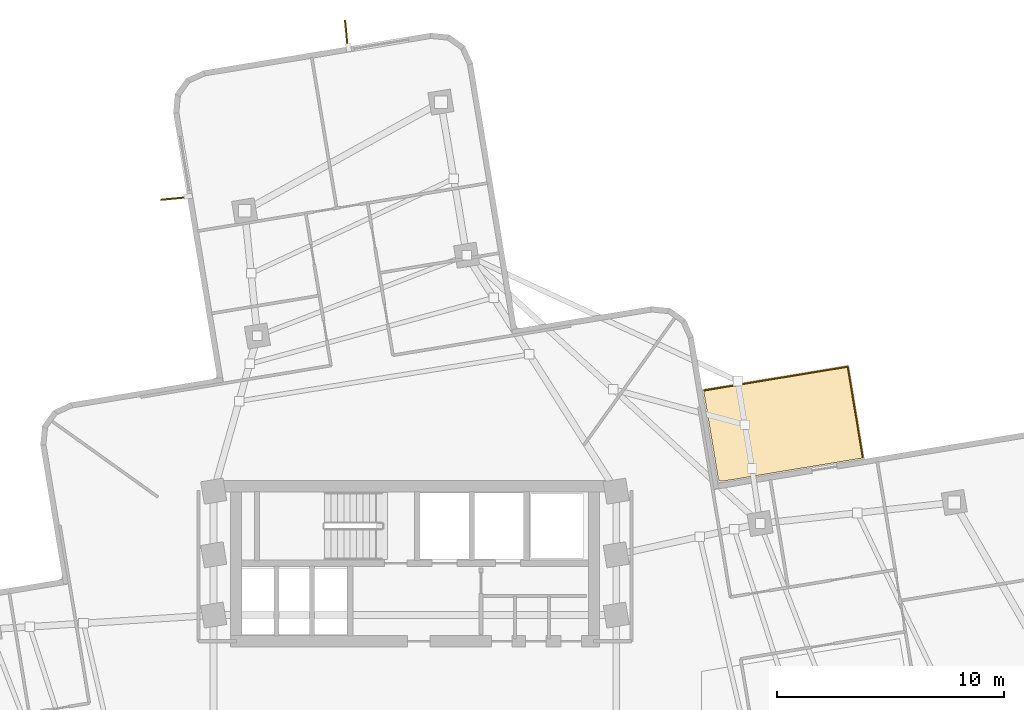
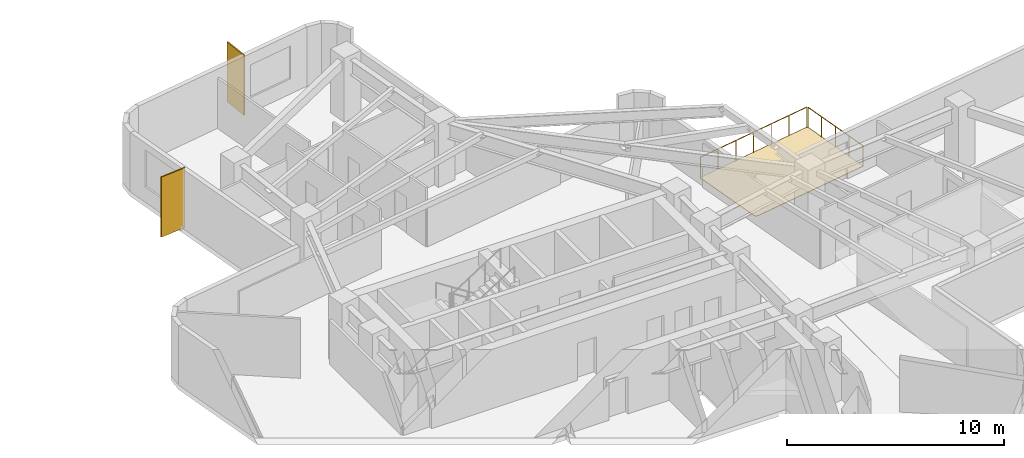
# One storey, part 9 of 9: 2 railings, 2 shading devices, 1 covering.
"""IFC4 building model written with IfcOpenShell, lengths in metres."""

from ifc_helpers import new_model, si_unit, direction, frame, origin, origin_2d, place, context, subcontext, project, spatial, polyline, rectangle, circle, outline, extrude, material, layer, layer_set, type_object, element, save


model = new_model("IFC4")

# Units and contexts
model_context = context("Model", 3, precision=1e-05, world=origin(), true_north=direction((0.0, 1.0)))
body_context = subcontext(model_context, "Body", "Model", "MODEL_VIEW")
ifc_project = project(units=[si_unit("LENGTHUNIT", "METRE"), si_unit("AREAUNIT", "SQUARE_METRE"), si_unit("VOLUMEUNIT", "CUBIC_METRE"), si_unit("PLANEANGLEUNIT", "RADIAN"), si_unit("MASSUNIT", "GRAM", prefix="KILO")], contexts=[model_context])

# Site, building, storey
site_placement = place(None, origin())
site = spatial("IfcSite", under=ifc_project, at=site_placement, CompositionType="ELEMENT")
building_placement = place(site_placement, origin())
building = spatial("IfcBuilding", under=site, at=building_placement, Name="Solmarez Civic Tower", CompositionType="ELEMENT")
storey_placement = place(building_placement, frame((0.0, 0.0, 92.8798828125)))
storey = spatial("IfcBuildingStorey", under=building, at=storey_placement, Name="L24", CompositionType="ELEMENT", Elevation=92.8798828125)

# Covering
ifc_material_1 = material(Name="Elastomeric Terrace Waterproofing Membrane")
ifc_layer_1 = layer(ifc_material_1, 0.030029296875)
ifc_layer_set_1 = layer_set([ifc_layer_1], Name="Elastomeric Terrace Waterproofing Membrane")
covering_type = type_object("IfcCoveringType", Name="COV-MEMBRANE-ROOF", PredefinedType="ROOFING", material=ifc_layer_set_1)
covering_placement = place(storey_placement, origin())
element("IfcCovering", 1, at=covering_placement, inside=storey, type_object=covering_type, Name="L24 Balcony Waterproofing NE", PredefinedType="ROOFING", context=body_context, shape_type="SweptSolid", body=[
    extrude(outline(polyline([(13.3349609375, 8.9169921875), (13.386962890625, 8.800048828125), (13.514892578125, 8.787109375), (19.701904296875, 9.81103515625), (19.035888671875, 13.8349609375), (12.694091796875, 12.784912109375), (13.3349609375, 8.9169921875)])), origin(), (0.0, 0.0, 1.0), 0.030029296875),
])

# Shading devices
ifc_material_2 = material(Name="Bronze Anodised Aluminium EN AW-6063 T6", Category="aluminium")
ifc_layer_2 = layer(ifc_material_2, 0.06494140625)
ifc_layer_set_2 = layer_set([ifc_layer_2], Name="Bronze Anodised Aluminium EN AW-6063 T6")
shading_device_type = type_object("IfcShadingDeviceType", Name="FIN-BRONZE-Z12", PredefinedType="USERDEFINED", material=ifc_layer_set_2)
for number, where, z_axis, x_axis, name in (
    (2, (-10.512939453125, 21.22705078125, -0.039794921875), (0.0, 0.0, 1.0), (-0.995456223542, -0.095220307765, 0.0), "L24 Anodised Bronze Solar Fin FIN-L24-03"),
    (3, (-3.012939453125, 28.39404296875, -0.039794921875), (0.0, 0.0, 1.0), (-0.095272429601, 0.995451236454, 0.0), "L24 Anodised Bronze Solar Fin FIN-L24-04"),
):
    element("IfcShadingDevice", number, at=place(storey_placement, frame(where, z_axis=z_axis, x_axis=x_axis)), inside=storey, type_object=shading_device_type, Name=name, ObjectType="FIN", PredefinedType="USERDEFINED", context=body_context, shape_type="SweptSolid", body=[
        extrude(rectangle(XDim=1.35009765625, YDim=0.06494140625, at=origin_2d()), origin(), (0.0, 0.0, 1.0), 3.3798828125),
    ])

# Railings
ifc_material_3 = material(Name="Bronze Anodised Aluminium and Laminated Safety Glass Balustrade", Category="aluminium")
railing_type = type_object("IfcRailingType", Name="GUARD-TERR-1180", PredefinedType="BALUSTRADE", material=ifc_material_3)
railing_1_placement = place(storey_placement, frame((19.696044921875, 9.845947265625, 0.0)))
element("IfcRailing", 4, at=railing_1_placement, inside=storey, type_object=railing_type, Name="L24 Safety Balustrade GRD-BALC-L24-NE-1", PredefinedType="BALUSTRADE", context=body_context, shape_type="SweptSolid", body=[
    extrude(circle(Radius=0.02392578125, at=origin_2d()), frame((0.0, 0.0, 1.15576171875), z_axis=(-0.163193717452, 0.986594045484, 0.0), x_axis=(-0.986594045484, -0.163193717452, 0.0)), (0.0, 0.0, 1.0), 4.0078125),
    extrude(circle(Radius=0.02099609375, at=origin_2d()), origin(), (0.0, 0.0, 1.0), 1.1318359375),
    extrude(circle(Radius=0.02099609375, at=origin_2d()), frame((-0.16357421875, 0.988525390625, 0.0)), (0.0, 0.0, 1.0), 1.1318359375),
    extrude(circle(Radius=0.02099609375, at=origin_2d()), frame((-0.3271484375, 1.97705078125, 0.0)), (0.0, 0.0, 1.0), 1.1318359375),
    extrude(circle(Radius=0.02099609375, at=origin_2d()), frame((-0.490478515625, 2.965576171875, 0.0)), (0.0, 0.0, 1.0), 1.1318359375),
    extrude(circle(Radius=0.02099609375, at=origin_2d()), frame((-0.654052734375, 3.9541015625, 0.0)), (0.0, 0.0, 1.0), 1.1318359375),
])
railing_2_placement = place(storey_placement, frame((19.0009765625, 13.8291015625, 0.0)))
element("IfcRailing", 5, at=railing_2_placement, inside=storey, type_object=railing_type, Name="L24 Safety Balustrade GRD-BALC-L24-NE-2", PredefinedType="BALUSTRADE", context=body_context, shape_type="SweptSolid", body=[
    extrude(circle(Radius=0.02392578125, at=origin_2d()), frame((0.0, 0.0, 1.15576171875), z_axis=(-0.986578051468, -0.163290380492, 0.0), x_axis=(0.163290380492, -0.986578051468, 0.0)), (0.0, 0.0, 1.0), 6.357421875),
    extrude(circle(Radius=0.02099609375, at=origin_2d()), origin(), (0.0, 0.0, 1.0), 1.1318359375),
    extrude(circle(Radius=0.02099609375, at=origin_2d()), frame((-1.04541015625, -0.173095703125, 0.0)), (0.0, 0.0, 1.0), 1.1318359375),
    extrude(circle(Radius=0.02099609375, at=origin_2d()), frame((-2.090576171875, -0.345947265625, 0.0)), (0.0, 0.0, 1.0), 1.1318359375),
    extrude(circle(Radius=0.02099609375, at=origin_2d()), frame((-3.135986328125, -0.51904296875, 0.0)), (0.0, 0.0, 1.0), 1.1318359375),
    extrude(circle(Radius=0.02099609375, at=origin_2d()), frame((-4.181396484375, -0.692138671875, 0.0)), (0.0, 0.0, 1.0), 1.1318359375),
    extrude(circle(Radius=0.02099609375, at=origin_2d()), frame((-5.2265625, -0.864990234375, 0.0)), (0.0, 0.0, 1.0), 1.1318359375),
    extrude(circle(Radius=0.02099609375, at=origin_2d()), frame((-6.27197265625, -1.0380859375, 0.0)), (0.0, 0.0, 1.0), 1.1318359375),
])

save(model, "model.ifc")
